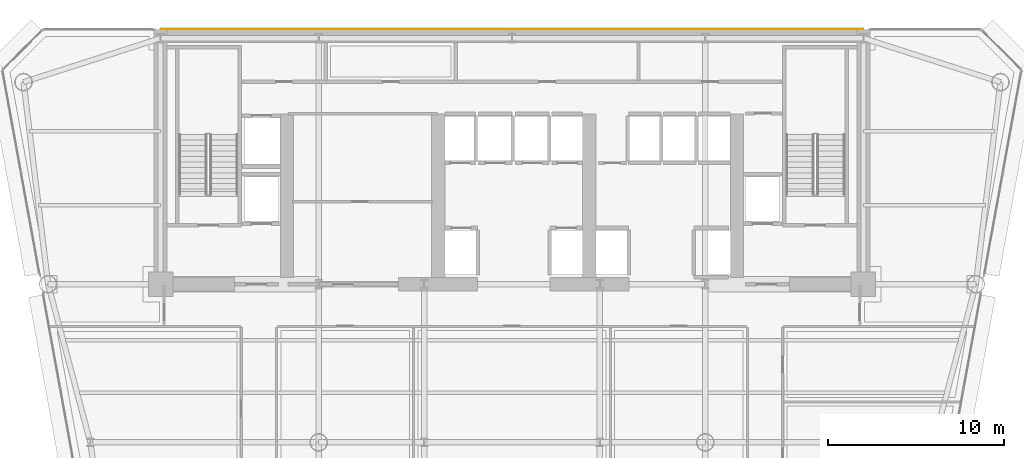
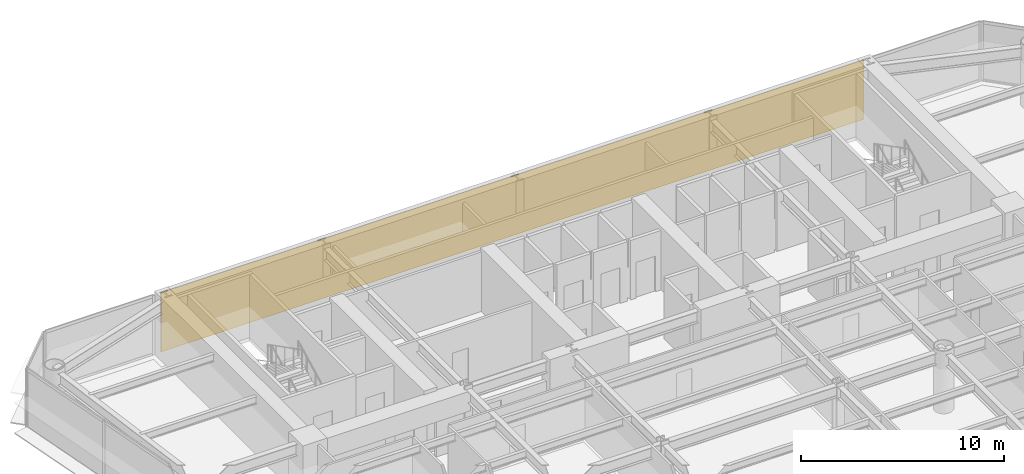
# One storey, part 13 of 14: 1 covering.
"""IFC4 building model written with IfcOpenShell, lengths in metres."""

from ifc_helpers import new_model, si_unit, direction, frame, origin, place, context, subcontext, project, spatial, polyline, outline, extrude, material, layer, layer_set, type_object, element, save


model = new_model("IFC4")

# Units and contexts
model_context = context("Model", 3, precision=1e-05, world=origin(), true_north=direction((0.0, 1.0)))
body_context = subcontext(model_context, "Body", "Model", "MODEL_VIEW")
ifc_project = project(units=[si_unit("LENGTHUNIT", "METRE"), si_unit("AREAUNIT", "SQUARE_METRE"), si_unit("VOLUMEUNIT", "CUBIC_METRE"), si_unit("PLANEANGLEUNIT", "RADIAN"), si_unit("MASSUNIT", "GRAM", prefix="KILO")], contexts=[model_context])

# Site, building, storey
site_placement = place(None, origin())
site = spatial("IfcSite", under=ifc_project, at=site_placement, CompositionType="ELEMENT")
building_placement = place(site_placement, origin())
building = spatial("IfcBuilding", under=site, at=building_placement, Name="Vaeldorn Concourse Tower", CompositionType="ELEMENT")
storey_placement = place(building_placement, frame((0.0, 0.0, 130.0)))
storey = spatial("IfcBuildingStorey", under=building, at=storey_placement, Name="L33", CompositionType="ELEMENT", Elevation=130.0)

# Covering
ifc_material = material(Name="Anodised Bronze Aluminium", Category="aluminium")
ifc_layer = layer(ifc_material, 0.050048828125)
ifc_layer_set = layer_set([ifc_layer], Name="Anodised Bronze Aluminium")
covering_type = type_object("IfcCoveringType", Name="COV-CLAD-BRONZE", PredefinedType="CLADDING", material=ifc_layer_set)
covering_placement = place(storey_placement, origin())
element("IfcCovering", 1, at=covering_placement, inside=storey, type_object=covering_type, Name="Rear Core Bronze Spandrel Cladding L33", PredefinedType="CLADDING", context=body_context, shape_type="SweptSolid", body=[
    extrude(outline(polyline([(14.0, 51.0), (54.0, 51.0), (54.0, 51.050048828125), (14.0, 51.050048828125), (14.0, 51.0)])), origin(), (0.0, 0.0, 1.0), 3.580078125),
])

save(model, "model.ifc")
